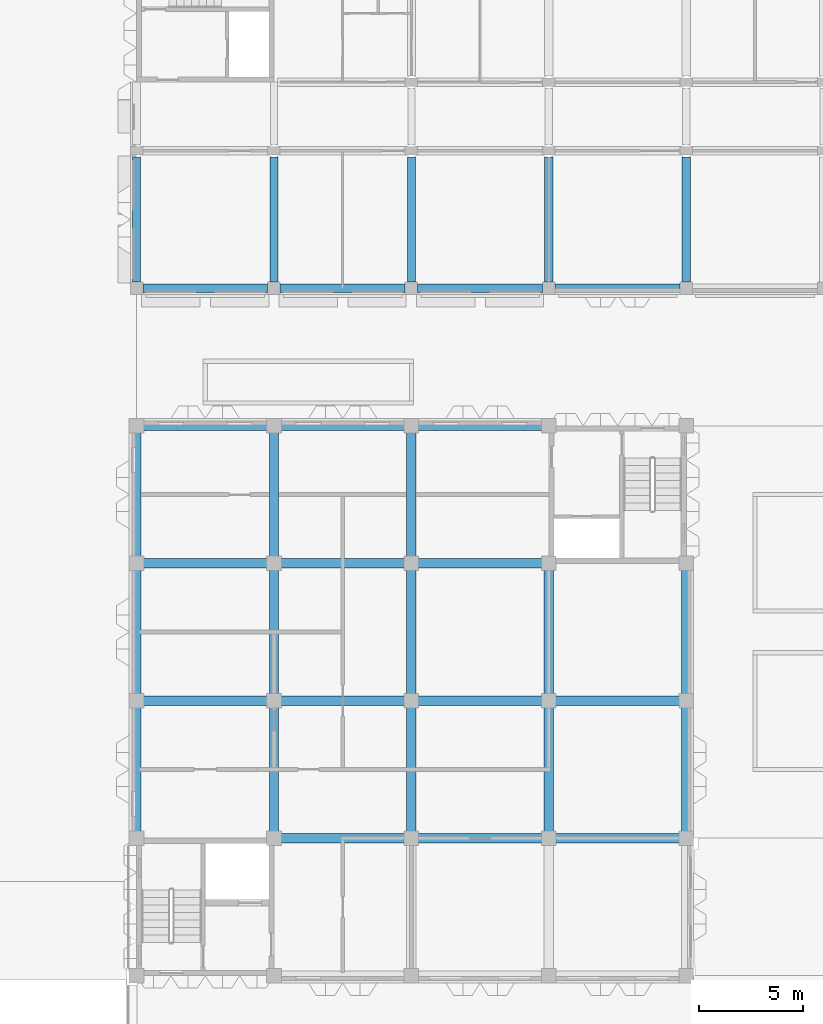
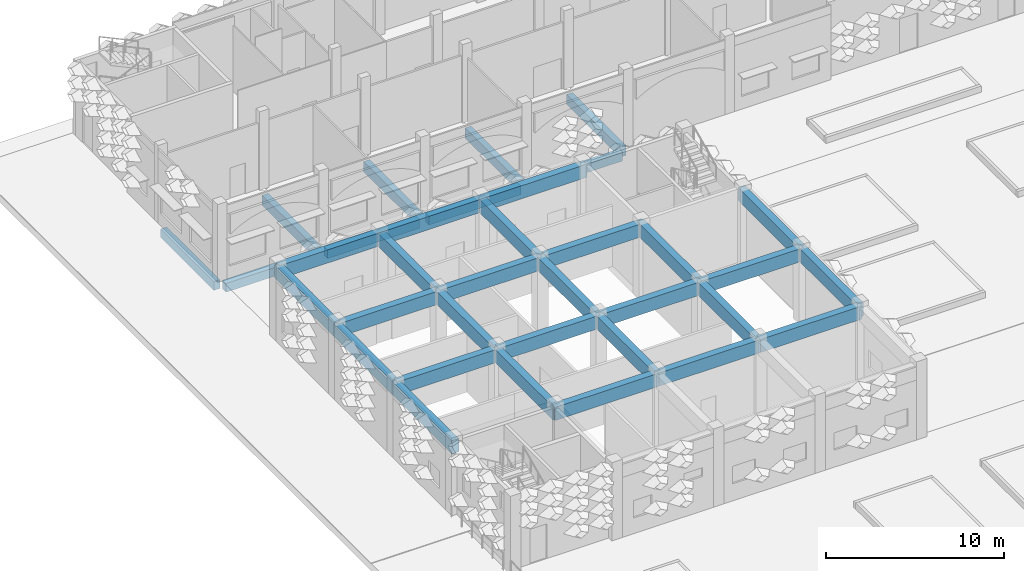
# One storey, part 13 of 85: 35 beams.
"""IFC4 building model written with IfcOpenShell, lengths in metres."""

from ifc_helpers import new_model, si_unit, direction, frame, origin, origin_2d, place, context, subcontext, project, spatial, rectangle, extrude, material, material_profile, profile_set, type_object, element, save


model = new_model("IFC4")

# Units and contexts
model_context = context("Model", 3, precision=1e-05, world=origin(), true_north=direction((0.0, 1.0)))
body_context = subcontext(model_context, "Body", "Model", "MODEL_VIEW")
ifc_project = project(units=[si_unit("LENGTHUNIT", "METRE"), si_unit("AREAUNIT", "SQUARE_METRE"), si_unit("VOLUMEUNIT", "CUBIC_METRE"), si_unit("PLANEANGLEUNIT", "RADIAN"), si_unit("MASSUNIT", "GRAM", prefix="KILO")], contexts=[model_context])

# Site, building, storey
site_placement = place(None, origin())
site = spatial("IfcSite", under=ifc_project, at=site_placement, CompositionType="ELEMENT")
building_placement = place(site_placement, origin())
building = spatial("IfcBuilding", under=site, at=building_placement, Name="Lantern Court Research Institute", CompositionType="ELEMENT")
storey_placement = place(building_placement, origin())
storey = spatial("IfcBuildingStorey", under=building, at=storey_placement, Name="L00", CompositionType="ELEMENT", Elevation=0.0)

# Beams
ifc_material_1 = material(Name="Concrete C40/50", Category="concrete")
ifc_material_profile_1 = material_profile(ifc_material_1, rectangle(XDim=0.449951171875, YDim=0.89990234375, at=origin_2d()), Name="Clean room beam 450 x 900")
ifc_profile_set_1 = profile_set([ifc_material_profile_1], Name="Concrete C40/50")
beam_type_1 = type_object("IfcBeamType", Name="Clean room beam 450 x 900", PredefinedType="BEAM", material=ifc_profile_set_1)
beam_1_placement = place(storey_placement, frame((6.449951171875, 56.10009765625, 4.60009765625), z_axis=(1.0, 0.0, 0.0), x_axis=(0.0, 1.0, 0.0)))
element("IfcBeam", 1, at=beam_1_placement, inside=storey, type_object=beam_type_1, Name="Clean room beam", PredefinedType="BEAM", context=body_context, shape_type="SweptSolid", body=[
    extrude(rectangle(XDim=0.449951171875, YDim=0.89990234375, at=origin_2d()), origin(), (0.0, 0.0, 1.0), 6.75),
])
beam_2_placement = place(storey_placement, frame((13.199951171875, 56.10009765625, 4.60009765625), z_axis=(1.0, 0.0, 0.0), x_axis=(0.0, 1.0, 0.0)))
element("IfcBeam", 2, at=beam_2_placement, inside=storey, type_object=beam_type_1, Name="Clean room beam", PredefinedType="BEAM", context=body_context, shape_type="SweptSolid", body=[
    extrude(rectangle(XDim=0.449951171875, YDim=0.89990234375, at=origin_2d()), origin(), (0.0, 0.0, 1.0), 6.60009765625),
])
beam_3_placement = place(storey_placement, frame((19.800048828125, 56.10009765625, 4.60009765625), z_axis=(1.0, 0.0, 0.0), x_axis=(0.0, 1.0, 0.0)))
element("IfcBeam", 3, at=beam_3_placement, inside=storey, type_object=beam_type_1, Name="Clean room beam", PredefinedType="BEAM", context=body_context, shape_type="SweptSolid", body=[
    extrude(rectangle(XDim=0.449951171875, YDim=0.89990234375, at=origin_2d()), origin(), (0.0, 0.0, 1.0), 6.599853515625),
])
beam_4_placement = place(storey_placement, frame((0.0, 62.699951171875, 4.60009765625), z_axis=(1.0, 0.0, 0.0), x_axis=(0.0, 1.0, 0.0)))
element("IfcBeam", 4, at=beam_4_placement, inside=storey, type_object=beam_type_1, Name="Clean room beam", PredefinedType="BEAM", context=body_context, shape_type="SweptSolid", body=[
    extrude(rectangle(XDim=0.449951171875, YDim=0.89990234375, at=origin_2d()), origin(), (0.0, 0.0, 1.0), 6.60009765625),
])
beam_5_placement = place(storey_placement, frame((6.60009765625, 62.699951171875, 4.60009765625), z_axis=(1.0, 0.0, 0.0), x_axis=(0.0, 1.0, 0.0)))
element("IfcBeam", 5, at=beam_5_placement, inside=storey, type_object=beam_type_1, Name="Clean room beam", PredefinedType="BEAM", context=body_context, shape_type="SweptSolid", body=[
    extrude(rectangle(XDim=0.449951171875, YDim=0.89990234375, at=origin_2d()), origin(), (0.0, 0.0, 1.0), 6.599853515625),
])
beam_6_placement = place(storey_placement, frame((13.199951171875, 62.699951171875, 4.60009765625), z_axis=(1.0, 0.0, 0.0), x_axis=(0.0, 1.0, 0.0)))
element("IfcBeam", 6, at=beam_6_placement, inside=storey, type_object=beam_type_1, Name="Clean room beam", PredefinedType="BEAM", context=body_context, shape_type="SweptSolid", body=[
    extrude(rectangle(XDim=0.449951171875, YDim=0.89990234375, at=origin_2d()), origin(), (0.0, 0.0, 1.0), 6.60009765625),
])
beam_7_placement = place(storey_placement, frame((19.800048828125, 62.699951171875, 4.60009765625), z_axis=(1.0, 0.0, 0.0), x_axis=(0.0, 1.0, 0.0)))
element("IfcBeam", 7, at=beam_7_placement, inside=storey, type_object=beam_type_1, Name="Clean room beam", PredefinedType="BEAM", context=body_context, shape_type="SweptSolid", body=[
    extrude(rectangle(XDim=0.449951171875, YDim=0.89990234375, at=origin_2d()), origin(), (0.0, 0.0, 1.0), 6.599853515625),
])
beam_8_placement = place(storey_placement, frame((0.0, 69.300048828125, 4.60009765625), z_axis=(1.0, 0.0, 0.0), x_axis=(0.0, 1.0, 0.0)))
element("IfcBeam", 8, at=beam_8_placement, inside=storey, type_object=beam_type_1, Name="Clean room beam", PredefinedType="BEAM", context=body_context, shape_type="SweptSolid", body=[
    extrude(rectangle(XDim=0.449951171875, YDim=0.89990234375, at=origin_2d()), origin(), (0.0, 0.0, 1.0), 6.60009765625),
])
beam_9_placement = place(storey_placement, frame((6.60009765625, 69.300048828125, 4.60009765625), z_axis=(1.0, 0.0, 0.0), x_axis=(0.0, 1.0, 0.0)))
element("IfcBeam", 9, at=beam_9_placement, inside=storey, type_object=beam_type_1, Name="Clean room beam", PredefinedType="BEAM", context=body_context, shape_type="SweptSolid", body=[
    extrude(rectangle(XDim=0.449951171875, YDim=0.89990234375, at=origin_2d()), origin(), (0.0, 0.0, 1.0), 6.599853515625),
])
beam_10_placement = place(storey_placement, frame((13.199951171875, 69.300048828125, 4.60009765625), z_axis=(1.0, 0.0, 0.0), x_axis=(0.0, 1.0, 0.0)))
element("IfcBeam", 10, at=beam_10_placement, inside=storey, type_object=beam_type_1, Name="Clean room beam", PredefinedType="BEAM", context=body_context, shape_type="SweptSolid", body=[
    extrude(rectangle(XDim=0.449951171875, YDim=0.89990234375, at=origin_2d()), origin(), (0.0, 0.0, 1.0), 6.75),
])
beam_11_placement = place(storey_placement, frame((0.0, 75.89990234375, 4.60009765625), z_axis=(1.0, 0.0, 0.0), x_axis=(0.0, 1.0, 0.0)))
element("IfcBeam", 11, at=beam_11_placement, inside=storey, type_object=beam_type_1, Name="Clean room beam", PredefinedType="BEAM", context=body_context, shape_type="SweptSolid", body=[
    extrude(rectangle(XDim=0.449951171875, YDim=0.89990234375, at=origin_2d()), origin(), (0.0, 0.0, 1.0), 6.60009765625),
])
beam_12_placement = place(storey_placement, frame((6.60009765625, 75.89990234375, 4.60009765625), z_axis=(1.0, 0.0, 0.0), x_axis=(0.0, 1.0, 0.0)))
element("IfcBeam", 12, at=beam_12_placement, inside=storey, type_object=beam_type_1, Name="Clean room beam", PredefinedType="BEAM", context=body_context, shape_type="SweptSolid", body=[
    extrude(rectangle(XDim=0.449951171875, YDim=0.89990234375, at=origin_2d()), origin(), (0.0, 0.0, 1.0), 6.599853515625),
])
for number, where, z_axis, x_axis, name in (
    (13, (13.199951171875, 75.89990234375, 4.60009765625), (1.0, 0.0, 0.0), (0.0, 1.0, 0.0), "Clean room beam"),
    (14, (0.0, 55.949951171875, 4.60009765625), (0.0, 1.0, 0.0), (-1.0, 0.0, 0.0), "Clean room beam"),
):
    element("IfcBeam", number, at=place(storey_placement, frame(where, z_axis=z_axis, x_axis=x_axis)), inside=storey, type_object=beam_type_1, Name=name, PredefinedType="BEAM", context=body_context, shape_type="SweptSolid", body=[
        extrude(rectangle(XDim=0.449951171875, YDim=0.89990234375, at=origin_2d()), origin(), (0.0, 0.0, 1.0), 6.75),
    ])
beam_13_placement = place(storey_placement, frame((0.0, 62.699951171875, 4.60009765625), z_axis=(0.0, 1.0, 0.0), x_axis=(-1.0, 0.0, 0.0)))
element("IfcBeam", 15, at=beam_13_placement, inside=storey, type_object=beam_type_1, Name="Clean room beam", PredefinedType="BEAM", context=body_context, shape_type="SweptSolid", body=[
    extrude(rectangle(XDim=0.449951171875, YDim=0.89990234375, at=origin_2d()), origin(), (0.0, 0.0, 1.0), 6.60009765625),
])
beam_14_placement = place(storey_placement, frame((0.0, 69.300048828125, 4.60009765625), z_axis=(0.0, 1.0, 0.0), x_axis=(-1.0, 0.0, 0.0)))
element("IfcBeam", 16, at=beam_14_placement, inside=storey, type_object=beam_type_1, Name="Clean room beam", PredefinedType="BEAM", context=body_context, shape_type="SweptSolid", body=[
    extrude(rectangle(XDim=0.449951171875, YDim=0.89990234375, at=origin_2d()), origin(), (0.0, 0.0, 1.0), 6.599853515625),
])
beam_15_placement = place(storey_placement, frame((6.60009765625, 55.949951171875, 4.60009765625), z_axis=(0.0, 1.0, 0.0), x_axis=(-1.0, 0.0, 0.0)))
element("IfcBeam", 17, at=beam_15_placement, inside=storey, type_object=beam_type_1, Name="Clean room beam", PredefinedType="BEAM", context=body_context, shape_type="SweptSolid", body=[
    extrude(rectangle(XDim=0.449951171875, YDim=0.89990234375, at=origin_2d()), origin(), (0.0, 0.0, 1.0), 6.75),
])
beam_16_placement = place(storey_placement, frame((6.60009765625, 62.699951171875, 4.60009765625), z_axis=(0.0, 1.0, 0.0), x_axis=(-1.0, 0.0, 0.0)))
element("IfcBeam", 18, at=beam_16_placement, inside=storey, type_object=beam_type_1, Name="Clean room beam", PredefinedType="BEAM", context=body_context, shape_type="SweptSolid", body=[
    extrude(rectangle(XDim=0.449951171875, YDim=0.89990234375, at=origin_2d()), origin(), (0.0, 0.0, 1.0), 6.60009765625),
])
for number, where, z_axis, x_axis, name in (
    (19, (6.60009765625, 69.300048828125, 4.60009765625), (0.0, 1.0, 0.0), (-1.0, 0.0, 0.0), "Clean room beam"),
    (20, (13.199951171875, 56.10009765625, 4.60009765625), (0.0, 1.0, 0.0), (-1.0, 0.0, 0.0), "Clean room beam"),
):
    element("IfcBeam", number, at=place(storey_placement, frame(where, z_axis=z_axis, x_axis=x_axis)), inside=storey, type_object=beam_type_1, Name=name, PredefinedType="BEAM", context=body_context, shape_type="SweptSolid", body=[
        extrude(rectangle(XDim=0.449951171875, YDim=0.89990234375, at=origin_2d()), origin(), (0.0, 0.0, 1.0), 6.599853515625),
    ])
beam_17_placement = place(storey_placement, frame((13.199951171875, 62.699951171875, 4.60009765625), z_axis=(0.0, 1.0, 0.0), x_axis=(-1.0, 0.0, 0.0)))
element("IfcBeam", 21, at=beam_17_placement, inside=storey, type_object=beam_type_1, Name="Clean room beam", PredefinedType="BEAM", context=body_context, shape_type="SweptSolid", body=[
    extrude(rectangle(XDim=0.449951171875, YDim=0.89990234375, at=origin_2d()), origin(), (0.0, 0.0, 1.0), 6.60009765625),
])
for number, where, z_axis, x_axis, name in (
    (22, (13.199951171875, 69.300048828125, 4.60009765625), (0.0, 1.0, 0.0), (-1.0, 0.0, 0.0), "Clean room beam"),
    (23, (19.800048828125, 56.10009765625, 4.60009765625), (0.0, 1.0, 0.0), (-1.0, 0.0, 0.0), "Clean room beam"),
):
    element("IfcBeam", number, at=place(storey_placement, frame(where, z_axis=z_axis, x_axis=x_axis)), inside=storey, type_object=beam_type_1, Name=name, PredefinedType="BEAM", context=body_context, shape_type="SweptSolid", body=[
        extrude(rectangle(XDim=0.449951171875, YDim=0.89990234375, at=origin_2d()), origin(), (0.0, 0.0, 1.0), 6.599853515625),
    ])
beam_18_placement = place(storey_placement, frame((19.800048828125, 62.699951171875, 4.60009765625), z_axis=(0.0, 1.0, 0.0), x_axis=(-1.0, 0.0, 0.0)))
element("IfcBeam", 24, at=beam_18_placement, inside=storey, type_object=beam_type_1, Name="Clean room beam", PredefinedType="BEAM", context=body_context, shape_type="SweptSolid", body=[
    extrude(rectangle(XDim=0.449951171875, YDim=0.89990234375, at=origin_2d()), origin(), (0.0, 0.0, 1.0), 6.75),
])
beam_19_placement = place(storey_placement, frame((26.39990234375, 56.10009765625, 4.60009765625), z_axis=(0.0, 1.0, 0.0), x_axis=(-1.0, 0.0, 0.0)))
element("IfcBeam", 25, at=beam_19_placement, inside=storey, type_object=beam_type_1, Name="Clean room beam", PredefinedType="BEAM", context=body_context, shape_type="SweptSolid", body=[
    extrude(rectangle(XDim=0.449951171875, YDim=0.89990234375, at=origin_2d()), origin(), (0.0, 0.0, 1.0), 6.599853515625),
])
beam_20_placement = place(storey_placement, frame((26.39990234375, 62.699951171875, 4.60009765625), z_axis=(0.0, 1.0, 0.0), x_axis=(-1.0, 0.0, 0.0)))
element("IfcBeam", 26, at=beam_20_placement, inside=storey, type_object=beam_type_1, Name="Clean room beam", PredefinedType="BEAM", context=body_context, shape_type="SweptSolid", body=[
    extrude(rectangle(XDim=0.449951171875, YDim=0.89990234375, at=origin_2d()), origin(), (0.0, 0.0, 1.0), 6.75),
])
ifc_material_2 = material(Name="Concrete C40/50", Category="concrete")
ifc_material_profile_2 = material_profile(ifc_material_2, rectangle(XDim=0.39990234375, YDim=0.699951171875, at=origin_2d()), Name="RC beam 400 x 700")
ifc_profile_set_2 = profile_set([ifc_material_profile_2], Name="Concrete C40/50")
beam_type_2 = type_object("IfcBeamType", Name="RC beam 400 x 700", PredefinedType="BEAM", material=ifc_profile_set_2)
for number, where, z_axis, x_axis, name in (
    (27, (6.60009765625, 82.800048828125, -0.64990234375), (0.0, 1.0, 0.0), (-1.0, 0.0, 0.0), "Beam L00 grid 2/J-K"),
    (28, (13.199951171875, 82.800048828125, -0.64990234375), (0.0, 1.0, 0.0), (-1.0, 0.0, 0.0), "Beam L00 grid 3/J-K"),
    (29, (19.800048828125, 82.800048828125, -0.64990234375), (0.0, 1.0, 0.0), (-1.0, 0.0, 0.0), "Beam L00 grid 4/J-K"),
    (30, (26.39990234375, 82.800048828125, -0.64990234375), (0.0, 1.0, 0.0), (-1.0, 0.0, 0.0), "Beam L00 grid 5/J-K"),
):
    element("IfcBeam", number, at=place(storey_placement, frame(where, z_axis=z_axis, x_axis=x_axis)), inside=storey, type_object=beam_type_2, Name=name, PredefinedType="BEAM", context=body_context, shape_type="SweptSolid", body=[
        extrude(rectangle(XDim=0.39990234375, YDim=0.699951171875, at=origin_2d()), origin(), (0.0, 0.0, 1.0), 6.0),
    ])
ifc_material_3 = material(Name="Concrete C40/50", Category="concrete")
ifc_material_profile_3 = material_profile(ifc_material_3, rectangle(XDim=0.39990234375, YDim=0.60009765625, at=origin_2d()), Name="RC beam 400 x 600")
ifc_profile_set_3 = profile_set([ifc_material_profile_3], Name="Concrete C40/50")
beam_type_3 = type_object("IfcBeamType", Name="RC edge beam 400 x 600", PredefinedType="BEAM", material=ifc_profile_set_3)
for number, where, z_axis, x_axis, name in (
    (31, (0.0, 82.800048828125, -0.60009765625), (0.0, 1.0, 0.0), (-1.0, 0.0, 0.0), "Edge beam L00 grid 1/J-K"),
    (32, (0.300048828125, 82.5, -0.60009765625), (1.0, 0.0, 0.0), (0.0, 1.0, 0.0), "Edge beam L00 grid J/1-2"),
    (33, (6.89990234375, 82.5, -0.60009765625), (1.0, 0.0, 0.0), (0.0, 1.0, 0.0), "Edge beam L00 grid J/2-3"),
    (34, (13.5, 82.5, -0.60009765625), (1.0, 0.0, 0.0), (0.0, 1.0, 0.0), "Edge beam L00 grid J/3-4"),
    (35, (20.10009765625, 82.5, -0.60009765625), (1.0, 0.0, 0.0), (0.0, 1.0, 0.0), "Edge beam L00 grid J/4-5"),
):
    element("IfcBeam", number, at=place(storey_placement, frame(where, z_axis=z_axis, x_axis=x_axis)), inside=storey, type_object=beam_type_3, Name=name, PredefinedType="BEAM", context=body_context, shape_type="SweptSolid", body=[
        extrude(rectangle(XDim=0.39990234375, YDim=0.60009765625, at=origin_2d()), origin(), (0.0, 0.0, 1.0), 6.0),
    ])

save(model, "model.ifc")
